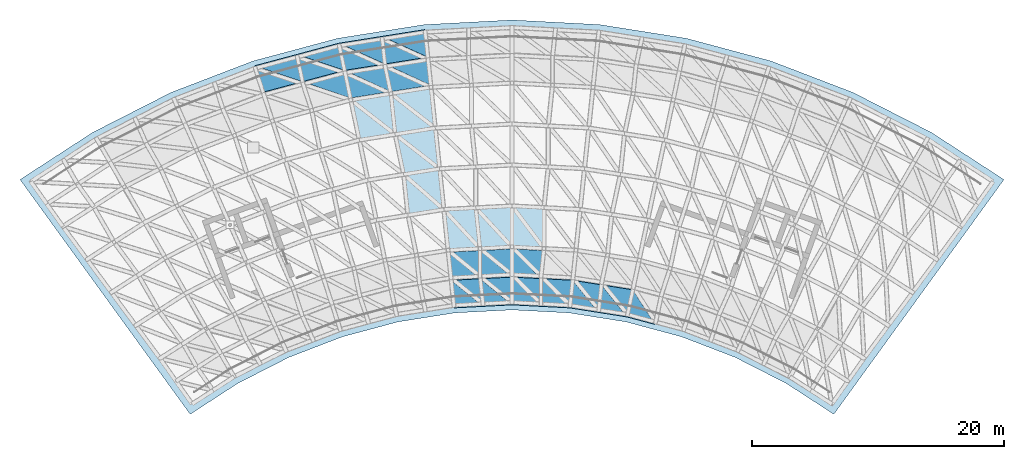
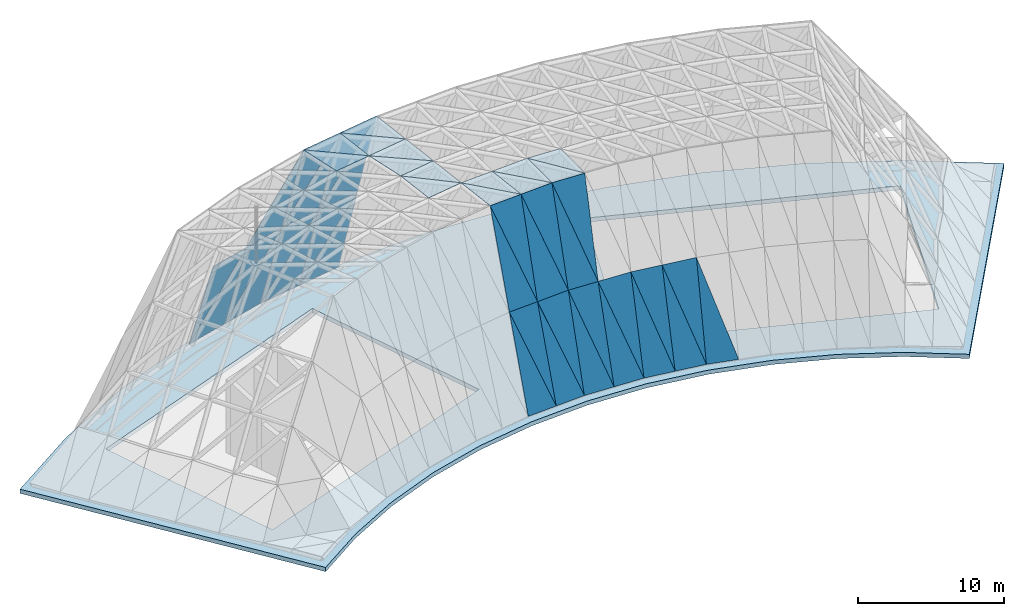
# One storey, part 14 of 20: 46 plates, 1 slab, 23 elements without a shape of their own.
"""IFC4 building model written with IfcOpenShell, lengths in metres."""

from ifc_helpers import new_model, si_unit, direction, frame, origin, place, context, subcontext, project, spatial, polyline, outline, extrude, material, layer, layer_set, type_object, element, aggregate, save


model = new_model("IFC4")

# Units and contexts
model_context = context("Model", 3, precision=1e-05, world=origin(), true_north=direction((0.0, 1.0)))
body_context = subcontext(model_context, "Body", "Model", "MODEL_VIEW")
ifc_project = project(units=[si_unit("LENGTHUNIT", "METRE"), si_unit("AREAUNIT", "SQUARE_METRE"), si_unit("VOLUMEUNIT", "CUBIC_METRE"), si_unit("PLANEANGLEUNIT", "RADIAN"), si_unit("MASSUNIT", "GRAM", prefix="KILO")], contexts=[model_context])

# Site, building, storey
site_placement = place(None, origin())
site = spatial("IfcSite", under=ifc_project, at=site_placement, CompositionType="ELEMENT")
building_placement = place(site_placement, origin())
building = spatial("IfcBuilding", under=site, at=building_placement, Name="Stone Belt Terrace Tower", CompositionType="ELEMENT")
storey_placement = place(building_placement, frame((0.0, 0.0, 337.39990234375)))
storey = spatial("IfcBuildingStorey", under=building, at=storey_placement, Name="RF", CompositionType="ELEMENT", Elevation=337.39990234375)

# Curtain wall, plate
ifc_material_1 = material(Name="Structural steel C345", Category="steel")
ifc_layer_1 = layer(ifc_material_1, 0.324951171875)
ifc_layer_set_1 = layer_set([ifc_layer_1], Name="CW-F glass point curtain wall")
curtain_wall_type = type_object("IfcCurtainWallType", Name="CW-F glass point curtain wall", PredefinedType="NOTDEFINED", material=ifc_layer_set_1)
curtain_wall_1_placement = place(storey_placement, origin())
curtain_wall_1 = element("IfcCurtainWall", 1, at=curtain_wall_1_placement, inside=storey, type_object=curtain_wall_type, Name="CW-F glass point panels 2", PredefinedType="NOTDEFINED")
ifc_material_2 = material(Name="Clear double glazed unit")
ifc_layer_2 = layer(ifc_material_2, 0.044921875)
ifc_layer_set_2 = layer_set([ifc_layer_2], Name="Glass point facet panel 45")
plate_type = type_object("IfcPlateType", Name="Glass point facet panel 45", PredefinedType="CURTAIN_PANEL", material=ifc_layer_set_2)
plate_1_placement = place(storey_placement, frame((-20.423095703125, 62.86474609375, 0.22021484375), z_axis=(-0.248301755116, 0.927006682449, 0.281078012481), x_axis=(0.965943636502, 0.258752557694, -7.062024e-05)))
plate_1 = element("IfcPlate", 2, at=plate_1_placement, type_object=plate_type, Name="GLASS POINT FACET 97", PredefinedType="CURTAIN_PANEL", context=body_context, shape_type="SweptSolid", body=[
    extrude(outline(polyline([(0.0, 0.0), (3.45709143117473, -2.2144829373016428e-17), (3.3415752191605, -7.8178548310702345), (0.0, 0.0)])), origin(), (0.0, 0.0, -1.0), 0.044921875),
])
aggregate(curtain_wall_1, [plate_1])

curtain_wall_2_placement = place(storey_placement, origin())
curtain_wall_2 = element("IfcCurtainWall", 3, at=curtain_wall_2_placement, inside=storey, type_object=curtain_wall_type, Name="CW-F glass point panels 10", PredefinedType="NOTDEFINED")
plate_2_placement = place(storey_placement, frame((-13.739013671875, 64.6552734375, 0.22021484375), z_axis=(-0.248390169202, 0.926989709433, 0.281055870691), x_axis=(0.058078829744, -0.275374838449, 0.959580923052)))
plate_2 = element("IfcPlate", 4, at=plate_2_placement, type_object=plate_type, Name="GLASS POINT FACET 98", PredefinedType="CURTAIN_PANEL", context=body_context, shape_type="SweptSolid", body=[
    extrude(outline(polyline([(0.0, 0.0), (7.818710612770361, -1.3877787807814457e-17), (0.05230626567778, -3.463569178338733), (0.0, 0.0)])), origin(), (0.0, 0.0, -1.0), 0.044921875),
])

curtain_wall_3_placement = place(storey_placement, origin())
curtain_wall_3 = element("IfcCurtainWall", 5, at=curtain_wall_3_placement, inside=storey, type_object=curtain_wall_type, Name="CW-F glass point panels 16", PredefinedType="NOTDEFINED")
plate_3_placement = place(storey_placement, frame((-12.821044921875, 60.307373046875, 15.37255859375), z_axis=(-0.24835984693, 0.92700708801, 0.281025346211), x_axis=(-0.440308801938, 0.150374831344, -0.885164148073)))
plate_3 = element("IfcPlate", 6, at=plate_3_placement, type_object=plate_type, Name="GLASS POINT FACET 99", PredefinedType="CURTAIN_PANEL", context=body_context, shape_type="SweptSolid", body=[
    extrude(outline(polyline([(0.0, 0.0), (8.645388437031038, 4.440892098500626e-16), (7.307981601358286, -3.191772471872728), (0.0, 0.0)])), origin(), (0.0, 0.0, -1.0), 0.044921875),
])
aggregate(curtain_wall_3, [plate_3])

curtain_wall_4_placement = place(storey_placement, origin())
curtain_wall_4 = element("IfcCurtainWall", 7, at=curtain_wall_4_placement, inside=storey, type_object=curtain_wall_type, Name="CW-F glass point panels 23", PredefinedType="NOTDEFINED")
plate_4_placement = place(storey_placement, frame((-17.084716796875, 63.75927734375, 0.218994140625), z_axis=(-0.248400621054, 0.926983184373, 0.281068154279), x_axis=(0.446891682655, -0.147767666107, 0.882299575443)))
plate_4 = element("IfcPlate", 8, at=plate_4_placement, type_object=plate_type, Name="GLASS POINT FACET 100", PredefinedType="CURTAIN_PANEL", context=body_context, shape_type="SweptSolid", body=[
    extrude(outline(polyline([(0.0, 0.0), (8.503834634320748, 0.0), (7.142340163626742, -3.181640869465388), (0.0, 0.0)])), origin(), (0.0, 0.0, -1.0), 0.044921875),
])
aggregate(curtain_wall_4, [plate_4])

curtain_wall_5_placement = place(storey_placement, origin())
curtain_wall_5 = element("IfcCurtainWall", 9, at=curtain_wall_5_placement, inside=storey, type_object=curtain_wall_type, Name="CW-F glass point panels 30", PredefinedType="NOTDEFINED")
plate_5_placement = place(storey_placement, frame((-20.4228515625, 62.865234375, 0.21923828125), z_axis=(-0.248355008078, 0.926979264963, 0.281121383553), x_axis=(0.446569872144, -0.147966470625, 0.882429188584)))
plate_5 = element("IfcPlate", 10, at=plate_5_placement, type_object=plate_type, Name="GLASS POINT FACET 101", PredefinedType="CURTAIN_PANEL", context=body_context, shape_type="SweptSolid", body=[
    extrude(outline(polyline([(0.0, 0.0), (8.502308903582174, 0.0), (7.232649291624478, -2.9701661969328574), (0.0, 0.0)])), origin(), (0.0, 0.0, -1.0), 0.044921875),
])

curtain_wall_6_placement = place(storey_placement, origin())
curtain_wall_6 = element("IfcCurtainWall", 11, at=curtain_wall_6_placement, inside=storey, type_object=curtain_wall_type, Name="CW-F glass point panels 3", PredefinedType="NOTDEFINED")
plate_6_placement = place(storey_placement, frame((-13.740234375, 64.6552734375, 0.22021484375), z_axis=(-0.149955359034, 0.947901793193, 0.281061524864), x_axis=(0.987713672907, 0.15627442326, -7.0616549e-05)))
plate_6 = element("IfcPlate", 12, at=plate_6_placement, type_object=plate_type, Name="GLASS POINT FACET 129", PredefinedType="CURTAIN_PANEL", context=body_context, shape_type="SweptSolid", body=[
    extrude(outline(polyline([(0.0, 0.0), (3.4572720977161953, -2.883977778811442e-17), (3.3419323777512338, -7.817815507700141), (0.0, 0.0)])), origin(), (0.0, 0.0, -1.0), 0.044921875),
])

# Plate
plate_7_placement = place(storey_placement, frame((-6.9052734375, 65.7373046875, 0.22021484375), z_axis=(-0.15009718547, 0.94787335405, 0.281081731168), x_axis=(0.028976738794, -0.279962758649, 0.959573448142)))
plate_7 = element("IfcPlate", 13, at=plate_7_placement, type_object=plate_type, Name="GLASS POINT FACET 130", PredefinedType="CURTAIN_PANEL", context=body_context, shape_type="SweptSolid", body=[
    extrude(outline(polyline([(0.0, 0.0), (7.818771519162503, 5.551115123125783e-17), (0.052287303173127075, -3.4638583662805416), (0.0, 0.0)])), origin(), (0.0, 0.0, -1.0), 0.044921875),
])

# Curtain wall, plate
curtain_wall_7_placement = place(storey_placement, origin())
curtain_wall_7 = element("IfcCurtainWall", 14, at=curtain_wall_7_placement, inside=storey, type_object=curtain_wall_type, Name="CW-F glass point panels 17", PredefinedType="NOTDEFINED")
plate_8_placement = place(storey_placement, frame((-6.447021484375, 61.317138671875, 15.37255859375), z_axis=(-0.15018973026, 0.947869783274, 0.281044336148), x_axis=(-0.422180444599, 0.195558500257, -0.885166958927)))
plate_8 = element("IfcPlate", 15, at=plate_8_placement, type_object=plate_type, Name="GLASS POINT FACET 131", PredefinedType="CURTAIN_PANEL", context=body_context, shape_type="SweptSolid", body=[
    extrude(outline(polyline([(0.0, 0.0), (8.645360983542503, 4.440892098500626e-16), (7.308041003617505, -3.191756912322526), (0.0, 0.0)])), origin(), (0.0, 0.0, -1.0), 0.044921875),
])

curtain_wall_8_placement = place(storey_placement, origin())
curtain_wall_8 = element("IfcCurtainWall", 16, at=curtain_wall_8_placement, inside=storey, type_object=curtain_wall_type, Name="CW-F glass point panels 24", PredefinedType="NOTDEFINED")
plate_9_placement = place(storey_placement, frame((-10.326416015625, 65.19580078125, 0.218994140625), z_axis=(-0.150103793991, 0.947881423491, 0.281050988308), x_axis=(0.428980521308, -0.193675719231, 0.882306878653)))
plate_9 = element("IfcPlate", 17, at=plate_9_placement, type_object=plate_type, Name="GLASS POINT FACET 132", PredefinedType="CURTAIN_PANEL", context=body_context, shape_type="SweptSolid", body=[
    extrude(outline(polyline([(0.0, 0.0), (8.503764244649705, 4.440892098500626e-16), (7.142351102858325, -3.181513282577761), (0.0, 0.0)])), origin(), (0.0, 0.0, -1.0), 0.044921875),
])

# Plate
plate_10_placement = place(storey_placement, frame((-13.73974609375, 64.655517578125, 0.21923828125), z_axis=(-0.150141961137, 0.94785272857, 0.281127366949), x_axis=(0.428653788181, -0.193824562582, 0.882432982622)))
plate_10 = element("IfcPlate", 18, at=plate_10_placement, type_object=plate_type, Name="GLASS POINT FACET 133", PredefinedType="CURTAIN_PANEL", context=body_context, shape_type="SweptSolid", body=[
    extrude(outline(polyline([(0.0, 0.0), (8.502272347736946, 8.881784197001252e-16), (7.232635907453944, -2.9702297626252627), (0.0, 0.0)])), origin(), (0.0, 0.0, -1.0), 0.044921875),
])

aggregate(curtain_wall_5, [plate_5, plate_10])

# Curtain wall, plate
curtain_wall_9_placement = place(storey_placement, origin())
curtain_wall_9 = element("IfcCurtainWall", 19, at=curtain_wall_9_placement, inside=storey, type_object=curtain_wall_type, Name="CW-F glass point panels 37", PredefinedType="NOTDEFINED")
plate_11_placement = place(storey_placement, frame((-6.446533203125, 61.3173828125, 15.37158203125), z_axis=(-0.150198241029, 0.947858972643, 0.281076246544), x_axis=(-0.987683652629, -0.156463987583, -0.000151392344)))
plate_11 = element("IfcPlate", 20, at=plate_11_placement, type_object=plate_type, Name="GLASS POINT FACET 134", PredefinedType="CURTAIN_PANEL", context=body_context, shape_type="SweptSolid", body=[
    extrude(outline(polyline([(0.0, 0.0), (3.2252704259321585, -3.756760527662273e-17), (3.3415396537654787, -7.973531517590348), (0.0, 0.0)])), origin(), (0.0, 0.0, -1.0), 0.044921875),
])

curtain_wall_10_placement = place(storey_placement, origin())
curtain_wall_10 = element("IfcCurtainWall", 21, at=curtain_wall_10_placement, inside=storey, type_object=curtain_wall_type, Name="CW-F glass point panels 42", PredefinedType="NOTDEFINED")
plate_12_placement = place(storey_placement, frame((-12.822021484375, 60.307373046875, 15.37158203125), z_axis=(-0.150139396238, 0.94786779531, 0.281077932808), x_axis=(-0.058165992131, 0.27533943854, -0.959585801762)))
plate_12 = element("IfcPlate", 22, at=plate_12_placement, type_object=plate_type, Name="GLASS POINT FACET 135", PredefinedType="CURTAIN_PANEL", context=body_context, shape_type="SweptSolid", body=[
    extrude(outline(polyline([(0.0, 0.0), (7.974886536015271, 5.551115123125783e-17), (-0.04593274763779675, -3.2306427835116356), (0.0, 0.0)])), origin(), (0.0, 0.0, -1.0), 0.044921875),
])
aggregate(curtain_wall_10, [plate_12])

curtain_wall_11_placement = place(storey_placement, origin())
curtain_wall_11 = element("IfcCurtainWall", 23, at=curtain_wall_11_placement, inside=storey, type_object=curtain_wall_type, Name="CW-F glass point panels 48", PredefinedType="NOTDEFINED")
plate_13_placement = place(storey_placement, frame((-10.095703125, 63.008056640625, 7.719970703125), z_axis=(-0.150144338472, 0.947867736789, 0.28107549018), x_axis=(0.058230924056, -0.275326340713, 0.959585621814)))
plate_13 = element("IfcPlate", 24, at=plate_13_placement, type_object=plate_type, Name="GLASS POINT FACET 136", PredefinedType="CURTAIN_PANEL", context=body_context, shape_type="SweptSolid", body=[
    extrude(outline(polyline([(0.0, 0.0), (7.97437918557599, 5.551115123125783e-17), (-0.04663969489474215, -3.2298709373811745), (0.0, 0.0)])), origin(), (0.0, 0.0, -1.0), 0.044921875),
])

# Plate
plate_14_placement = place(storey_placement, frame((-12.82275390625, 60.30810546875, 15.37060546875), z_axis=(0.000150435911, 1.6176604e-05, 0.999999988554), x_axis=(0.987681340201, 0.156478584421, -0.000151114036)))
plate_14 = element("IfcPlate", 25, at=plate_14_placement, type_object=plate_type, Name="GLASS POINT FACET 137", PredefinedType="CURTAIN_PANEL", context=body_context, shape_type="SweptSolid", body=[
    extrude(outline(polyline([(0.0, 0.0), (3.231210432050152, -1.7785134249886293e-17), (3.0609175123072268, -3.402720899117356), (0.0, 0.0)])), origin(), (0.0, 0.0, -1.0), 0.044921875),
])

aggregate(curtain_wall_8, [plate_9, plate_14])

plate_15_placement = place(storey_placement, frame((-6.447021484375, 61.318359375, 15.37060546875), z_axis=(-0.00012826826, -0.000157688184, 0.999999979341), x_axis=(0.105326279286, -0.99443770763, -0.00014330106)))
plate_15 = element("IfcPlate", 26, at=plate_15_placement, type_object=plate_type, Name="GLASS POINT FACET 138", PredefinedType="CURTAIN_PANEL", context=body_context, shape_type="SweptSolid", body=[
    extrude(outline(polyline([(0.0, 0.0), (3.407380581384389, -4.4303674494331955e-17), (0.1665013479720024, -3.2214909918795303), (0.0, 0.0)])), origin(), (0.0, 0.0, -1.0), 0.044921875),
])

plate_16_placement = place(storey_placement, frame((-5.748291015625, 54.69775390625, 15.3701171875), z_axis=(0.0, 0.0, 1.0), x_axis=(-0.790263125717, 0.612767649384, 0.0)))
plate_16 = element("IfcPlate", 27, at=plate_16_placement, type_object=plate_type, Name="GLASS POINT FACET 139", PredefinedType="CURTAIN_PANEL", context=body_context, shape_type="SweptSolid", body=[
    extrude(outline(polyline([(0.0, 0.0), (4.455164158051864, 0.0), (2.2503800824869495, -2.3472265692521956), (0.0, 0.0)])), origin(), (0.0, 0.0, -1.0), 0.044921875),
])

aggregate(curtain_wall_2, [plate_2, plate_7, plate_16])

plate_17_placement = place(storey_placement, frame((-9.632568359375, 60.814208984375, 15.3701171875), z_axis=(0.0, 0.0, 1.0), x_axis=(0.775734729079, -0.631059133601, 0.0)))
plate_17 = element("IfcPlate", 28, at=plate_17_placement, type_object=plate_type, Name="GLASS POINT FACET 140", PredefinedType="CURTAIN_PANEL", context=body_context, shape_type="SweptSolid", body=[
    extrude(outline(polyline([(0.0, 0.0), (4.569760437577461, 4.440892098500626e-16), (2.420249437132416, -2.3978952975192267), (0.0, 0.0)])), origin(), (0.0, 0.0, -1.0), 0.044921875),
])

# Curtain wall, plate
curtain_wall_12_placement = place(storey_placement, origin())
curtain_wall_12 = element("IfcCurtainWall", 29, at=curtain_wall_12_placement, inside=storey, type_object=curtain_wall_type, Name="CW-F glass point panels 31", PredefinedType="NOTDEFINED")
plate_18_placement = place(storey_placement, frame((-12.822265625, 60.308837890625, 15.37060546875), z_axis=(2.2453958e-05, -0.000141729967, 0.999999989704), x_axis=(0.776877037158, -0.629652330858, -0.00010668457)))
plate_18 = element("IfcPlate", 30, at=plate_18_placement, type_object=plate_type, Name="GLASS POINT FACET 141", PredefinedType="CURTAIN_PANEL", context=body_context, shape_type="SweptSolid", body=[
    extrude(outline(polyline([(0.0, 0.0), (4.5768685292937015, 6.064222602456265e-16), (2.650639761177764, -2.1413144677863265), (0.0, 0.0)])), origin(), (0.0, 0.0, -1.0), 0.044921875),
])

# Plate
plate_19_placement = place(storey_placement, frame((-5.747802734375, 54.6982421875, 15.3701171875), z_axis=(0.0, 0.0, 1.0), x_axis=(-0.987694829334, -0.156393491257, 0.0)))
plate_19 = element("IfcPlate", 31, at=plate_19_placement, type_object=plate_type, Name="GLASS POINT FACET 142", PredefinedType="CURTAIN_PANEL", context=body_context, shape_type="SweptSolid", body=[
    extrude(outline(polyline([(0.0, 0.0), (2.880167515323478, -5.551115123125783e-17), (3.050439140893651, -3.2472514193967768), (0.0, 0.0)])), origin(), (0.0, 0.0, -1.0), 0.044921875),
])

plate_20_placement = place(storey_placement, frame((-5.74853515625, 54.699462890625, 15.3701171875), z_axis=(0.0, 0.0, 1.0), x_axis=(0.104505013123, -0.994524359798, 0.0)))
plate_20 = element("IfcPlate", 32, at=plate_20_placement, type_object=plate_type, Name="GLASS POINT FACET 146", PredefinedType="CURTAIN_PANEL", context=body_context, shape_type="SweptSolid", body=[
    extrude(outline(polyline([(0.0, 0.0), (3.2519372979772747, -5.551115123125783e-17), (0.15092762580065017, -2.8762485582506008), (0.0, 0.0)])), origin(), (0.0, 0.0, -1.0), 0.044921875),
])

aggregate(curtain_wall_6, [plate_6, plate_15, plate_20])

plate_21_placement = place(storey_placement, frame((-8.5927734375, 54.24951171875, 15.3701171875), z_axis=(0.0, 0.0, 1.0), x_axis=(0.752934157651, -0.658095854905, 0.0)))
plate_21 = element("IfcPlate", 33, at=plate_21_placement, type_object=plate_type, Name="GLASS POINT FACET 148", PredefinedType="CURTAIN_PANEL", context=body_context, shape_type="SweptSolid", body=[
    extrude(outline(polyline([(0.0, 0.0), (4.229546873575424, -4.440892098500626e-16), (2.3840874124797775, -2.211254009329816), (0.0, 0.0)])), origin(), (0.0, 0.0, -1.0), 0.044921875),
])

aggregate(curtain_wall_7, [plate_8, plate_17, plate_21])

# Curtain wall, plate
curtain_wall_13_placement = place(storey_placement, origin())
curtain_wall_13 = element("IfcCurtainWall", 34, at=curtain_wall_13_placement, inside=storey, type_object=curtain_wall_type, Name="CW-F glass point panels 11", PredefinedType="NOTDEFINED")
plate_22_placement = place(storey_placement, frame((-0.002197265625, 48.34326171875, 15.37060546875), z_axis=(-7.517943e-06, 0.000143303194, 0.999999989704), x_axis=(-0.661599321432, 0.749857536629, -0.000112430847)))
plate_22 = element("IfcPlate", 35, at=plate_22_placement, type_object=plate_type, Name="GLASS POINT FACET 179", PredefinedType="CURTAIN_PANEL", context=body_context, shape_type="SweptSolid", body=[
    extrude(outline(polyline([(0.0, 0.0), (4.342947343724474, -4.879718427951602e-17), (2.5533408864887397, -2.2563941057848647), (0.0, 0.0)])), origin(), (0.0, 0.0, -1.0), 0.044921875),
])

# Plate
plate_23_placement = place(storey_placement, frame((-0.001708984375, 48.34375, 15.37060546875), z_axis=(-0.000192311858, -1.9753419e-05, 0.999999981313), x_axis=(-0.998625001953, -0.052422020114, -0.000193082947)))
plate_23 = element("IfcPlate", 36, at=plate_23_placement, type_object=plate_type, Name="GLASS POINT FACET 182", PredefinedType="CURTAIN_PANEL", context=body_context, shape_type="SweptSolid", body=[
    extrude(outline(polyline([(0.0, 0.0), (2.528867813303781, 2.3178320410868757e-18), (2.6988542262776085, -3.402994375798804), (0.0, 0.0)])), origin(), (0.0, 0.0, -1.0), 0.044921875),
])

plate_24_placement = place(storey_placement, frame((-5.056396484375, 48.07861328125, 15.37060546875), z_axis=(0.00018438412, 0.000163304145, 0.999999969667), x_axis=(-0.103744884829, 0.994603930386, -0.00014329404)))
plate_24 = element("IfcPlate", 37, at=plate_24_placement, type_object=plate_type, Name="GLASS POINT FACET 183", PredefinedType="CURTAIN_PANEL", context=body_context, shape_type="SweptSolid", body=[
    extrude(outline(polyline([(0.0, 0.0), (3.4075475198814535, 6.961300572340065e-18), (-0.13070050179482584, -2.530858918281893), (0.0, 0.0)])), origin(), (0.0, 0.0, -1.0), 0.044921875),
])

# Curtain wall, plate
curtain_wall_14_placement = place(storey_placement, origin())
curtain_wall_14 = element("IfcCurtainWall", 38, at=curtain_wall_14_placement, inside=storey, type_object=curtain_wall_type, Name="CW-F glass point panels 43", PredefinedType="NOTDEFINED")
plate_25_placement = place(storey_placement, frame((-2.8740234375, 51.60009765625, 15.3701171875), z_axis=(0.0, 0.0, 1.0), x_axis=(0.102107045971, -0.994773416997, 0.0)))
plate_25 = element("IfcPlate", 39, at=plate_25_placement, type_object=plate_type, Name="GLASS POINT FACET 184", PredefinedType="CURTAIN_PANEL", context=body_context, shape_type="SweptSolid", body=[
    extrude(outline(polyline([(0.0, 0.0), (3.407212375164152, 0.0), (-0.12662074910476404, -2.5367063889725627), (0.0, 0.0)])), origin(), (0.0, 0.0, -1.0), 0.044921875),
])

# Plate
plate_26_placement = place(storey_placement, frame((-5.056884765625, 48.07958984375, 15.371826171875), z_axis=(0.050353241846, -0.95836248526, 0.281079878116), x_axis=(0.998625518345, 0.0524121835, -0.000192691851)))
plate_26 = element("IfcPlate", 40, at=plate_26_placement, type_object=plate_type, Name="GLASS POINT FACET 185", PredefinedType="CURTAIN_PANEL", context=body_context, shape_type="SweptSolid", body=[
    extrude(outline(polyline([(0.0, 0.0), (2.5340005153461287, -1.0354130747236567e-17), (2.420280098117255, -7.974344781978352), (0.0, 0.0)])), origin(), (0.0, 0.0, -1.0), 0.044921875),
])

aggregate(curtain_wall_11, [plate_13, plate_26])

# Curtain wall, plate
curtain_wall_15_placement = place(storey_placement, origin())
curtain_wall_15 = element("IfcCurtainWall", 41, at=curtain_wall_15_placement, inside=storey, type_object=curtain_wall_type, Name="CW-F glass point panels 4", PredefinedType="NOTDEFINED")
plate_27_placement = place(storey_placement, frame((-0.00244140625, 48.3447265625, 15.371826171875), z_axis=(0.05025930506, -0.958368589303, 0.281075878174), x_axis=(0.000367340968, -0.281413793121, -0.959586443267)))
plate_27 = element("IfcPlate", 42, at=plate_27_placement, type_object=plate_type, Name="GLASS POINT FACET 186", PredefinedType="CURTAIN_PANEL", context=body_context, shape_type="SweptSolid", body=[
    extrude(outline(polyline([(0.0, 0.0), (7.97539005013293, -1.3877787807814457e-17), (0.03684752317397417, -2.5283555200788754), (0.0, 0.0)])), origin(), (0.0, 0.0, -1.0), 0.044921875),
])
aggregate(curtain_wall_15, [plate_27])

# Plate
plate_28_placement = place(storey_placement, frame((0.00390625, 43.900634765625, 0.21875), z_axis=(0.050211018242, -0.958363438593, 0.281102069035), x_axis=(-0.309029475396, 0.252736530124, 0.916856057229)))
plate_28 = element("IfcPlate", 43, at=plate_28_placement, type_object=plate_type, Name="GLASS POINT FACET 187", PredefinedType="CURTAIN_PANEL", context=body_context, shape_type="SweptSolid", body=[
    extrude(outline(polyline([(0.0, 0.0), (8.1838560258084, -4.440892098500626e-16), (7.436803603042758, -2.4162477823769306), (0.0, 0.0)])), origin(), (0.0, 0.0, -1.0), 0.044921875),
])

# Curtain wall, plate
curtain_wall_16_placement = place(storey_placement, origin())
curtain_wall_16 = element("IfcCurtainWall", 44, at=curtain_wall_16_placement, inside=storey, type_object=curtain_wall_type, Name="CW-F glass point panels 18", PredefinedType="NOTDEFINED")
plate_29_placement = place(storey_placement, frame((-2.527099609375, 48.212646484375, 15.37255859375), z_axis=(0.050276655314, -0.958366627414, 0.281079464548), x_axis=(0.303411155543, -0.25347754447, -0.918526431379)))
plate_29 = element("IfcPlate", 45, at=plate_29_placement, type_object=plate_type, Name="GLASS POINT FACET 188", PredefinedType="CURTAIN_PANEL", context=body_context, shape_type="SweptSolid", body=[
    extrude(outline(polyline([(0.0, 0.0), (8.331374720636479, 4.440892098500626e-16), (7.598896309744524, -2.420719061853909), (0.0, 0.0)])), origin(), (0.0, 0.0, -1.0), 0.044921875),
])

curtain_wall_17_placement = place(storey_placement, origin())
curtain_wall_17 = element("IfcCurtainWall", 46, at=curtain_wall_17_placement, inside=storey, type_object=curtain_wall_type, Name="CW-F glass point panels 25", PredefinedType="NOTDEFINED")
plate_30_placement = place(storey_placement, frame((-5.056640625, 48.080078125, 15.373291015625), z_axis=(0.05014628742, -0.958385245133, 0.281039270866), x_axis=(0.303937015735, -0.253402909504, -0.91837315723)))
plate_30 = element("IfcPlate", 47, at=plate_30_placement, type_object=plate_type, Name="GLASS POINT FACET 189", PredefinedType="CURTAIN_PANEL", context=body_context, shape_type="SweptSolid", body=[
    extrude(outline(polyline([(0.0, 0.0), (8.333828567253546, 0.0), (7.666532295896935, -2.1998119182619056), (0.0, 0.0)])), origin(), (0.0, 0.0, -1.0), 0.044921875),
])

# Plate
plate_31_placement = place(storey_placement, frame((0.00439453125, 43.90087890625, 0.2197265625), z_axis=(0.050066004576, -0.958377298987, 0.281080678761), x_axis=(-0.998638257361, -0.052169252774, 0.0)))
plate_31 = element("IfcPlate", 48, at=plate_31_placement, type_object=plate_type, Name="GLASS POINT FACET 190", PredefinedType="CURTAIN_PANEL", context=body_context, shape_type="SweptSolid", body=[
    extrude(outline(polyline([(0.0, 0.0), (2.3024517529762325, 0.0), (2.417935123903696, -7.818887259386964), (0.0, 0.0)])), origin(), (0.0, 0.0, -1.0), 0.044921875),
])

aggregate(curtain_wall_12, [plate_18, plate_23, plate_31])

plate_32_placement = place(storey_placement, frame((-4.5859375, 43.66064453125, 0.2197265625), z_axis=(0.050220434502, -0.958373291743, 0.281066792119), x_axis=(-0.029846319808, 0.279856078197, 0.959577913819)))
plate_32 = element("IfcPlate", 49, at=plate_32_placement, type_object=plate_type, Name="GLASS POINT FACET 191", PredefinedType="CURTAIN_PANEL", context=body_context, shape_type="SweptSolid", body=[
    extrude(outline(polyline([(0.0, 0.0), (7.820007257287446, 0.0), (-0.034799293506325886, -2.2951175420619205), (0.0, 0.0)])), origin(), (0.0, 0.0, -1.0), 0.044921875),
])

aggregate(curtain_wall_9, [plate_11, plate_19, plate_24, plate_32])

plate_33_placement = place(storey_placement, frame((-2.52392578125, 45.968994140625, 7.72216796875), z_axis=(0.050176005617, -0.958381983186, 0.281045090271), x_axis=(0.029409620659, -0.279859702323, -0.959590340316)))
plate_33 = element("IfcPlate", 50, at=plate_33_placement, type_object=plate_type, Name="GLASS POINT FACET 192", PredefinedType="CURTAIN_PANEL", context=body_context, shape_type="SweptSolid", body=[
    extrude(outline(polyline([(0.0, 0.0), (7.81990598980623, 0.0), (-0.03413263668333774, -2.2985412356995583), (0.0, 0.0)])), origin(), (0.0, 0.0, -1.0), 0.044921875),
])

# Curtain wall, plate
curtain_wall_18_placement = place(storey_placement, origin())
curtain_wall_18 = element("IfcCurtainWall", 51, at=curtain_wall_18_placement, inside=storey, type_object=curtain_wall_type, Name="CW-F glass point panels 38", PredefinedType="NOTDEFINED")
plate_34_placement = place(storey_placement, frame((-0.003173828125, 48.34375, 15.37060546875), z_axis=(0.000200435945, 0.00014312904, 0.99999996967), x_axis=(0.000788078268, 0.999999679201, -0.000143286958)))
plate_34 = element("IfcPlate", 52, at=plate_34_placement, type_object=plate_type, Name="GLASS POINT FACET 215", PredefinedType="CURTAIN_PANEL", context=body_context, shape_type="SweptSolid", body=[
    extrude(outline(polyline([(0.0, 0.0), (3.4077159369429086, -3.5113486130631004e-19), (-0.13057380856962225, -2.530865457888277), (0.0, 0.0)])), origin(), (0.0, 0.0, -1.0), 0.044921875),
])

# Plate
plate_35_placement = place(storey_placement, frame((2.535400390625, 51.617919921875, 15.3701171875), z_axis=(0.0, 0.0, 1.0), x_axis=(-0.002436046365, -0.999997032835, 0.0)))
plate_35 = element("IfcPlate", 53, at=plate_35_placement, type_object=plate_type, Name="GLASS POINT FACET 216", PredefinedType="CURTAIN_PANEL", context=body_context, shape_type="SweptSolid", body=[
    extrude(outline(polyline([(0.0, 0.0), (3.4074808136839954, 1.734723475976807e-18), (-0.12663337406640895, -2.536692964683047), (0.0, 0.0)])), origin(), (0.0, 0.0, -1.0), 0.044921875),
])

aggregate(curtain_wall_14, [plate_25, plate_33, plate_35])

plate_36_placement = place(storey_placement, frame((-0.00341796875, 48.3447265625, 15.371826171875), z_axis=(-0.05015312262, -0.958377977214, 0.28106283476), x_axis=(0.998630556508, -0.052316101513, -0.000192692823)))
plate_36 = element("IfcPlate", 54, at=plate_36_placement, type_object=plate_type, Name="GLASS POINT FACET 217", PredefinedType="CURTAIN_PANEL", context=body_context, shape_type="SweptSolid", body=[
    extrude(outline(polyline([(0.0, 0.0), (2.53398773113162, -1.0299920638612292e-18), (2.4201376275126574, -7.974303331216463), (0.0, 0.0)])), origin(), (0.0, 0.0, -1.0), 0.044921875),
])

aggregate(curtain_wall_17, [plate_30, plate_36])

plate_37_placement = place(storey_placement, frame((4.5927734375, 43.65966796875, 0.21875), z_axis=(-0.050210627967, -0.958355989513, 0.281127533699), x_axis=(-0.280925587536, 0.283670108514, 0.916848997274)))
plate_37 = element("IfcPlate", 55, at=plate_37_placement, type_object=plate_type, Name="GLASS POINT FACET 219", PredefinedType="CURTAIN_PANEL", context=body_context, shape_type="SweptSolid", body=[
    extrude(outline(polyline([(0.0, 0.0), (8.183919043437458, 4.440892098500626e-16), (7.436867187510925, -2.416247957631453), (0.0, 0.0)])), origin(), (0.0, 0.0, -1.0), 0.044921875),
])

aggregate(curtain_wall_13, [plate_22, plate_28, plate_37])

# Curtain wall, plate
curtain_wall_19_placement = place(storey_placement, origin())
curtain_wall_19 = element("IfcCurtainWall", 56, at=curtain_wall_19_placement, inside=storey, type_object=curtain_wall_type, Name="CW-F glass point panels 49", PredefinedType="NOTDEFINED")
plate_38_placement = place(storey_placement, frame((-0.003173828125, 48.34521484375, 15.373291015625), z_axis=(-0.050247709931, -0.958375692664, 0.281053730375), x_axis=(0.275784600194, -0.283782177829, -0.918373850805)))
plate_38 = element("IfcPlate", 57, at=plate_38_placement, type_object=plate_type, Name="GLASS POINT FACET 221", PredefinedType="CURTAIN_PANEL", context=body_context, shape_type="SweptSolid", body=[
    extrude(outline(polyline([(0.0, 0.0), (8.333822273374714, 4.440892098500626e-16), (7.666559771105882, -2.199835505926432), (0.0, 0.0)])), origin(), (0.0, 0.0, -1.0), 0.044921875),
])
aggregate(curtain_wall_19, [plate_38])

# Plate
plate_39_placement = place(storey_placement, frame((4.59326171875, 43.659912109375, 0.2197265625), z_axis=(-0.050375941112, -0.958364116068, 0.281070250276), x_axis=(-0.998621342387, 0.052492042528, 0.0)))
plate_39 = element("IfcPlate", 58, at=plate_39_placement, type_object=plate_type, Name="GLASS POINT FACET 222", PredefinedType="CURTAIN_PANEL", context=body_context, shape_type="SweptSolid", body=[
    extrude(outline(polyline([(0.0, 0.0), (2.3022462749784527, 6.938893903907228e-18), (2.4177646517711997, -7.818862374801956), (0.0, 0.0)])), origin(), (0.0, 0.0, -1.0), 0.044921875),
])

aggregate(curtain_wall_16, [plate_29, plate_39])

plate_40_placement = place(storey_placement, frame((0.003173828125, 43.90087890625, 0.2197265625), z_axis=(-0.050225718575, -0.958372044677, 0.28107010011), x_axis=(-0.000468299263, 0.2814478568, 0.959576408942)))
plate_40 = element("IfcPlate", 59, at=plate_40_placement, type_object=plate_type, Name="GLASS POINT FACET 223", PredefinedType="CURTAIN_PANEL", context=body_context, shape_type="SweptSolid", body=[
    extrude(outline(polyline([(0.0, 0.0), (7.820019521188883, 1.3877787807814457e-17), (-0.034880063237959065, -2.2948724817476163), (0.0, 0.0)])), origin(), (0.0, 0.0, -1.0), 0.044921875),
])

# Curtain wall, plate
curtain_wall_20_placement = place(storey_placement, origin())
curtain_wall_20 = element("IfcCurtainWall", 60, at=curtain_wall_20_placement, inside=storey, type_object=curtain_wall_type, Name="CW-F glass point panels 44", PredefinedType="NOTDEFINED")
plate_41_placement = place(storey_placement, frame((2.294921875, 45.981201171875, 7.72216796875), z_axis=(-0.05021774238, -0.958374230574, 0.281064071916), x_axis=(0.0, -0.281419140352, -0.959584945403)))
plate_41 = element("IfcPlate", 61, at=plate_41_placement, type_object=plate_type, Name="GLASS POINT FACET 224", PredefinedType="CURTAIN_PANEL", context=body_context, shape_type="SweptSolid", body=[
    extrude(outline(polyline([(0.0, 0.0), (7.819949954353255, 0.0), (-0.03410625516087749, -2.2985543985366563), (0.0, 0.0)])), origin(), (0.0, 0.0, -1.0), 0.044921875),
])

curtain_wall_21_placement = place(storey_placement, origin())
curtain_wall_21 = element("IfcCurtainWall", 62, at=curtain_wall_21_placement, inside=storey, type_object=curtain_wall_type, Name="CW-F glass point panels 12", PredefinedType="NOTDEFINED")
plate_42_placement = place(storey_placement, frame((9.13134765625, 42.9404296875, 0.21875), z_axis=(-0.150072154972, -0.947863141777, 0.281129530223), x_axis=(-0.249750976177, 0.311472759468, 0.916847408246)))
plate_42 = element("IfcPlate", 63, at=plate_42_placement, type_object=plate_type, Name="GLASS POINT FACET 251", PredefinedType="CURTAIN_PANEL", context=body_context, shape_type="SweptSolid", body=[
    extrude(outline(polyline([(0.0, 0.0), (8.183933227344275, 0.0), (7.436853672025453, -2.4163064287193445), (0.0, 0.0)])), origin(), (0.0, 0.0, -1.0), 0.044921875),
])
aggregate(curtain_wall_21, [plate_42])

curtain_wall_22_placement = place(storey_placement, origin())
curtain_wall_22 = element("IfcCurtainWall", 64, at=curtain_wall_22_placement, inside=storey, type_object=curtain_wall_type, Name="CW-F glass point panels 19", PredefinedType="NOTDEFINED")
plate_43_placement = place(storey_placement, frame((9.1318359375, 42.940673828125, 0.2197265625), z_axis=(-0.150308446736, -0.94784893223, 0.281051191974), x_axis=(-0.987658711512, 0.156621421184, 0.0)))
plate_43 = element("IfcPlate", 65, at=plate_43_placement, type_object=plate_type, Name="GLASS POINT FACET 254", PredefinedType="CURTAIN_PANEL", context=body_context, shape_type="SweptSolid", body=[
    extrude(outline(polyline([(0.0, 0.0), (2.3023396186804495, 0.0), (2.417959714687507, -7.818816900637058), (0.0, 0.0)])), origin(), (0.0, 0.0, -1.0), 0.044921875),
])
aggregate(curtain_wall_22, [plate_43])

# Plate
plate_44_placement = place(storey_placement, frame((4.592041015625, 43.66015625, 0.2197265625), z_axis=(-0.150152398405, -0.947868913383, 0.281067216685), x_axis=(0.028972145115, 0.279949596171, 0.959577427002)))
plate_44 = element("IfcPlate", 66, at=plate_44_placement, type_object=plate_type, Name="GLASS POINT FACET 255", PredefinedType="CURTAIN_PANEL", context=body_context, shape_type="SweptSolid", body=[
    extrude(outline(polyline([(0.0, 0.0), (7.820011224574012, 0.0), (-0.034856083112630526, -2.295093982228151), (0.0, 0.0)])), origin(), (0.0, 0.0, -1.0), 0.044921875),
])

aggregate(curtain_wall_18, [plate_34, plate_40, plate_44])

plate_45_placement = place(storey_placement, frame((7.088623046875, 45.4892578125, 7.72216796875), z_axis=(-0.150102252377, -0.947883226634, 0.28104573026), x_axis=(-0.029409620659, -0.279859702323, -0.959590340316)))
plate_45 = element("IfcPlate", 67, at=plate_45_placement, type_object=plate_type, Name="GLASS POINT FACET 256", PredefinedType="CURTAIN_PANEL", context=body_context, shape_type="SweptSolid", body=[
    extrude(outline(polyline([(0.0, 0.0), (7.81990598980623, 2.7755575615628914e-17), (-0.034102407161206987, -2.29855796932726), (0.0, 0.0)])), origin(), (0.0, 0.0, -1.0), 0.044921875),
])

aggregate(curtain_wall_20, [plate_41, plate_45])

# Curtain wall, plate
curtain_wall_23_placement = place(storey_placement, origin())
curtain_wall_23 = element("IfcCurtainWall", 68, at=curtain_wall_23_placement, inside=storey, type_object=curtain_wall_type, Name="CW-F glass point panels 39", PredefinedType="NOTDEFINED")
plate_46_placement = place(storey_placement, frame((9.130615234375, 42.94091796875, 0.2197265625), z_axis=(-0.248361874939, -0.926993089324, 0.281069726975), x_axis=(0.058069131452, 0.275391294914, 0.959576787265)))
plate_46 = element("IfcPlate", 69, at=plate_46_placement, type_object=plate_type, Name="GLASS POINT FACET 287", PredefinedType="CURTAIN_PANEL", context=body_context, shape_type="SweptSolid", body=[
    extrude(outline(polyline([(0.0, 0.0), (7.82001643806569, -6.938893903907228e-17), (-0.03483916938671078, -2.294969746279199), (0.0, 0.0)])), origin(), (0.0, 0.0, -1.0), 0.044921875),
])
aggregate(curtain_wall_23, [plate_46])

# Slab
ifc_material_3 = material(Name="Concrete B40", Category="concrete")
ifc_layer_3 = layer(ifc_material_3, 0.35009765625)
ifc_layer_set_3 = layer_set([ifc_layer_3], Name="Roof slab 350 B40")
slab_type = type_object("IfcSlabType", Name="Roof slab 350 B40", PredefinedType="ROOF", material=ifc_layer_set_3)
slab_placement = place(storey_placement, frame((0.0, 0.0, -0.349853515625)))
element("IfcSlab", 70, at=slab_placement, inside=storey, type_object=slab_type, Name="Roof slab RF", PredefinedType="ROOF", context=body_context, shape_type="SweptSolid", body=[
    extrude(outline(polyline([(-33.25, 57.5908203125), (-27.048095703125, 60.750732421875), (-20.549560546875, 63.245361328125), (-13.826171875, 65.046875), (-6.951171875, 66.1357421875), (0.0, 66.5), (6.951171875, 66.1357421875), (13.826171875, 65.046875), (20.549560546875, 63.245361328125), (27.048095703125, 60.750732421875), (33.25, 57.5908203125), (39.031494140625, 53.840576171875), (25.53173828125, 35.218994140625), (21.75, 37.672119140625), (17.693115234375, 39.7392578125), (13.442138671875, 41.37109375), (9.044189453125, 42.54931640625), (4.547119140625, 43.26171875), (0.0, 43.5), (-4.547119140625, 43.26171875), (-9.044189453125, 42.54931640625), (-13.442138671875, 41.37109375), (-17.693115234375, 39.7392578125), (-21.75, 37.672119140625), (-25.53173828125, 35.218994140625), (-39.031494140625, 53.840576171875), (-33.25, 57.5908203125)]), holes=[polyline([(-10.81396484375, 62.532470703125), (-31.51416015625, 55.082763671875), (-26.434814453125, 40.968994140625), (-5.734619140625, 48.418701171875), (-10.81396484375, 62.532470703125)]), polyline([(26.434814453125, 40.968994140625), (31.51416015625, 55.082763671875), (10.81396484375, 62.532470703125), (5.734619140625, 48.418701171875), (26.434814453125, 40.968994140625)])]), origin(), (0.0, 0.0, 1.0), 0.349853515625),
])

save(model, "model.ifc")
